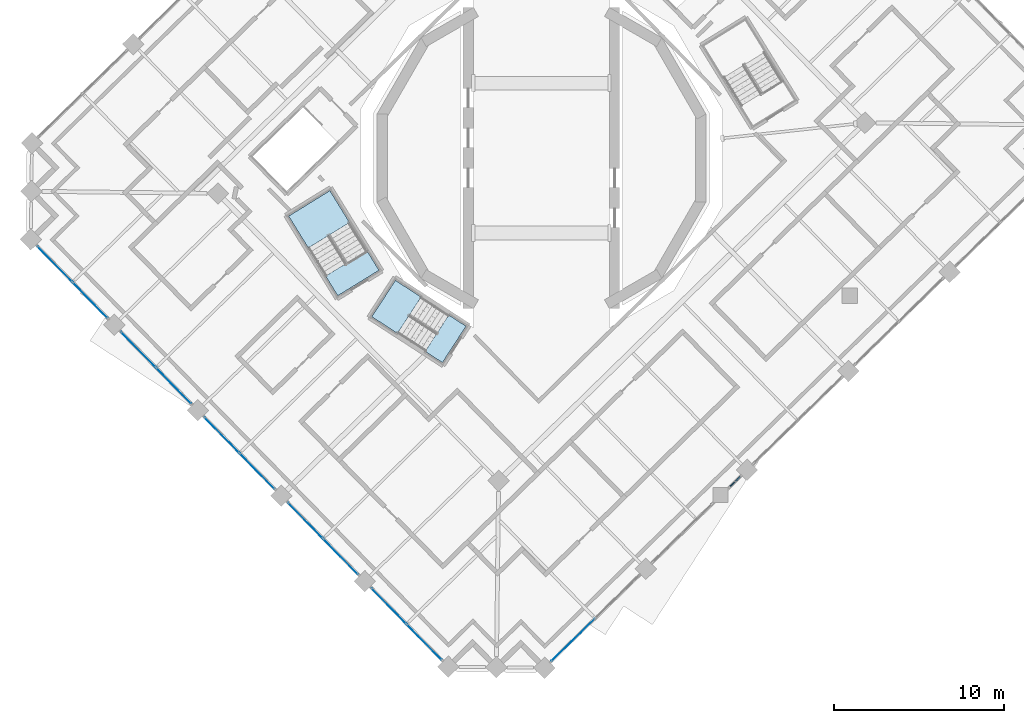
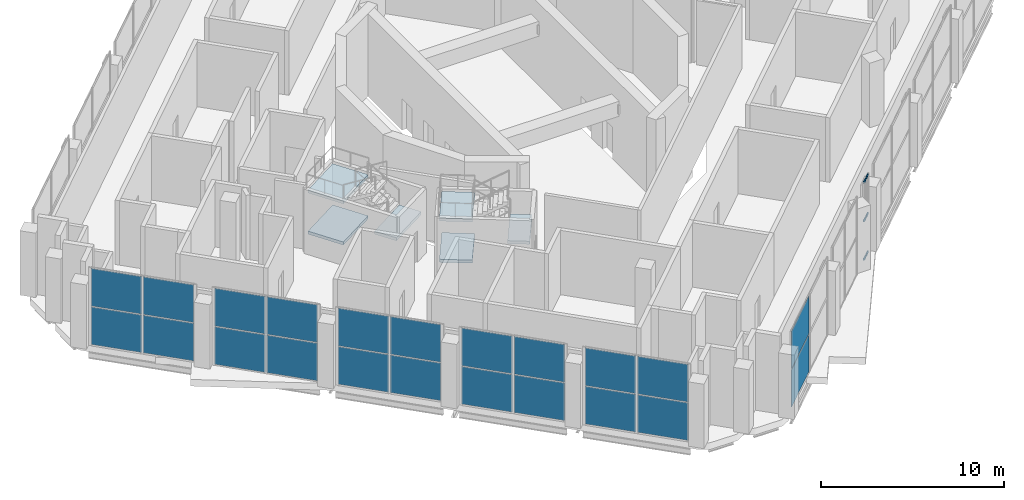
# One storey, part 9 of 20: 22 plates, 6 members, 6 slabs, 9 elements without a shape of their own.
"""IFC4 building model written with IfcOpenShell, lengths in metres."""

import ifcopenshell
import ifcopenshell.guid

model = None  # the IFC model being written
_history = None  # IfcOwnerHistory: only IFC2X3 demands one
_inside = {}  # id of a spatial element -> (the spatial element, [elements in it])
_under = {}  # id of a project, library or spatial element -> (it, [spatial elements below it])
_declared = {}  # id of a project -> (the project, [libraries it declares])
_typed = {}  # id of a type object -> (the type object, [elements of that type])
_made_of = {}  # id of a material, layer set ... -> (it, [elements and type objects made of it])


def new_model(schema):
    """Start an empty IFC model of exactly this schema.

    Asked for "IFC4X3", IfcOpenShell would pick the latest addendum, in which some entities
    have other attributes; the version numbers below select the first issue.
    IFC2X3 requires an IfcOwnerHistory on every rooted entity: one is made here for all.
    """
    global model, _history
    if schema == "IFC4X3":
        model = ifcopenshell.file(schema_version=(4, 3, 0, 0))
    else:
        model = ifcopenshell.file(schema=schema)
    _inside.clear()
    _under.clear()
    _declared.clear()
    _typed.clear()
    _made_of.clear()
    _history = None
    if model.schema == "IFC2X3":
        org = make("IfcOrganization", Name="unknown")
        user = make(
            "IfcPersonAndOrganization",
            ThePerson=make("IfcPerson", FamilyName="unknown"),
            TheOrganization=org,
        )
        app = make(
            "IfcApplication",
            ApplicationDeveloper=org,
            Version="unknown",
            ApplicationFullName="unknown",
            ApplicationIdentifier="unknown",
        )
        _history = make(
            "IfcOwnerHistory",
            OwningUser=user,
            OwningApplication=app,
            ChangeAction="ADDED",
            CreationDate=0,
        )
    return model


def make(cls, **values):
    """One entity of the class cls with the attributes given. An attribute that is None is left unset."""
    return model.create_entity(
        cls, **{name: value for name, value in values.items() if value is not None}
    )


def rooted(cls, **values):
    """An entity with a GlobalId (a new one), such as an element, a storey or a relation."""
    return make(cls, GlobalId=ifcopenshell.guid.new(), OwnerHistory=_history, **values)


def si_unit(unit_type, name, prefix=None):
    """IfcSIUnit, for example si_unit("LENGTHUNIT", "METRE", prefix="MILLI")."""
    return make("IfcSIUnit", UnitType=unit_type, Prefix=prefix, Name=name)


def assignment(units):
    """IfcUnitAssignment: the units of a project."""
    return None if units is None else make("IfcUnitAssignment", Units=units)


def point(xyz):
    """IfcCartesianPoint."""
    return None if xyz is None else make("IfcCartesianPoint", Coordinates=xyz)


def direction(xyz):
    """IfcDirection."""
    return None if xyz is None else make("IfcDirection", DirectionRatios=xyz)


def frame(location, z_axis=None, x_axis=None):
    """IfcAxis2Placement3D, a coordinate frame: its origin and axes. An axis left out is left unset."""
    return make(
        "IfcAxis2Placement3D",
        Location=point(location),
        Axis=direction(z_axis),
        RefDirection=direction(x_axis),
    )


def frame_2d(location, x_axis=None):
    """IfcAxis2Placement2D, a coordinate frame in the plane: its origin and x axis."""
    return make(
        "IfcAxis2Placement2D", Location=point(location), RefDirection=direction(x_axis)
    )


def origin():
    """The frame at (0, 0, 0) with its axes left unset."""
    return frame((0.0, 0.0, 0.0))


def origin_2d():
    """The frame at (0, 0) in the plane with its x axis left unset."""
    return frame_2d((0.0, 0.0))


def place(relative_to, where):
    """IfcLocalPlacement: puts the frame where relative to a parent placement (None: the world)."""
    return make(
        "IfcLocalPlacement", PlacementRelTo=relative_to, RelativePlacement=where
    )


def context(
    kind, dimensions, precision=None, world=None, true_north=None, identifier=None
):
    """IfcGeometricRepresentationContext, for example the 3D "Model" context."""
    return make(
        "IfcGeometricRepresentationContext",
        ContextIdentifier=identifier,
        ContextType=kind,
        CoordinateSpaceDimension=dimensions,
        Precision=precision,
        WorldCoordinateSystem=world,
        TrueNorth=true_north,
    )


def subcontext(parent, identifier, kind, view, scale=None):
    """IfcGeometricRepresentationSubContext, for example "Body" below "Model"."""
    return make(
        "IfcGeometricRepresentationSubContext",
        ContextIdentifier=identifier,
        ContextType=kind,
        ParentContext=parent,
        TargetScale=scale,
        TargetView=view,
    )


def project(units=None, contexts=None):
    """IfcProject with its units and contexts."""
    return rooted(
        "IfcProject",
        Name="project",
        RepresentationContexts=contexts,
        UnitsInContext=assignment(units),
    )


def spatial(cls, under=None, at=None, **own):
    """A site, building, storey or space (cls), placed at a placement, below another one or the project."""
    s = rooted(cls, ObjectPlacement=at, **own)
    if under is not None:
        _under.setdefault(under.id(), (under, []))[1].append(s)
    return s


def polyline(points):
    """IfcPolyline through the points."""
    return make("IfcPolyline", Points=[point(p) for p in points])


def profile(cls, at=None, kind="AREA", **sizes):
    """A parametric profile (cls). Its sizes go by their IFC names, for example OverallWidth=200.0."""
    return make(cls, ProfileType=kind, Position=at, **sizes)


def rectangle(**sizes):
    """IfcRectangleProfileDef."""
    return profile("IfcRectangleProfileDef", **sizes)


def outline(outer, holes=None, kind="AREA"):
    """IfcArbitraryClosedProfileDef: a profile drawn as a closed curve; with holes, ...WithVoids."""
    if holes is None:
        return make("IfcArbitraryClosedProfileDef", ProfileType=kind, OuterCurve=outer)
    return make(
        "IfcArbitraryProfileDefWithVoids",
        ProfileType=kind,
        OuterCurve=outer,
        InnerCurves=holes,
    )


def extrude(swept, where, along, depth):
    """IfcExtrudedAreaSolid: the profile swept, set in the frame where, extruded along a direction by depth."""
    return make(
        "IfcExtrudedAreaSolid",
        SweptArea=swept,
        Position=where,
        ExtrudedDirection=direction(along),
        Depth=depth,
    )


def shape(context_of_items, identifier, shape_type, items):
    """IfcShapeRepresentation: the items that make up one representation, for example the "Body"."""
    return make(
        "IfcShapeRepresentation",
        ContextOfItems=context_of_items,
        RepresentationIdentifier=identifier,
        RepresentationType=shape_type,
        Items=items,
    )


def material(Name=None, Category=None):
    """IfcMaterial."""
    return make("IfcMaterial", Name=Name, Category=Category)


def layer(
    of_material, thickness, ventilated=None, Name=None, Category=None, Priority=None
):
    """IfcMaterialLayer: one layer of a wall or slab, of a material (None: an air gap)."""
    return make(
        "IfcMaterialLayer",
        Material=of_material,
        LayerThickness=thickness,
        IsVentilated=ventilated,
        Name=Name,
        Category=Category,
        Priority=Priority,
    )


def layer_set(layers, Name=None):
    """IfcMaterialLayerSet."""
    return make("IfcMaterialLayerSet", MaterialLayers=layers, LayerSetName=Name)


def material_profile(
    of_material, cross_section, Name=None, Category=None, Priority=None
):
    """IfcMaterialProfile: a cross section and its material."""
    return make(
        "IfcMaterialProfile",
        Name=Name,
        Material=of_material,
        Profile=cross_section,
        Priority=Priority,
        Category=Category,
    )


def profile_set(profiles, Name=None, composite=None):
    """IfcMaterialProfileSet."""
    return make(
        "IfcMaterialProfileSet",
        Name=Name,
        MaterialProfiles=profiles,
        CompositeProfile=composite,
    )


def made_of(thing, what):
    """Note that an element or type object is made of a material, layer set ...; save() writes the relation."""
    if what is not None:
        _made_of.setdefault(what.id(), (what, []))[1].append(thing)
    return thing


def type_object(cls, material=None, **own):
    """A type object (cls), such as IfcWallType, which elements share."""
    return made_of(rooted(cls, **own), material)


def element(
    cls,
    number,
    at=None,
    inside=None,
    cuts=None,
    type_object=None,
    material=None,
    context=None,
    identifier="Body",
    shape_type=None,
    held_by="IfcProductDefinitionShape",
    body=None,
    shapes=None,
    **own,
):
    """One element of the class cls, such as IfcWall. Its Tag is "e" and its number.

    at: its placement. inside: the storey or other place that contains it. cuts: it is an
    opening in that element (IfcRelVoidsElement). A single representation is given by context,
    identifier, shape_type and body (its items); several are given by shapes. held_by: the class
    of the entity that holds the representations. save() writes the other relations.
    """
    e = rooted(cls, Tag="e%d" % number, ObjectPlacement=at, **own)
    if body is not None:
        shapes = [shape(context, identifier, shape_type, body)]
    if shapes is not None:
        e.Representation = make(held_by, Representations=shapes)
    if inside is not None:
        _inside.setdefault(inside.id(), (inside, []))[1].append(e)
    if cuts is not None:
        rooted(
            "IfcRelVoidsElement", RelatingBuildingElement=cuts, RelatedOpeningElement=e
        )
    if type_object is not None:
        _typed.setdefault(type_object.id(), (type_object, []))[1].append(e)
    return made_of(e, material)


def aggregate(whole, parts):
    """IfcRelAggregates: a whole, such as a stair, and the parts it consists of."""
    return rooted("IfcRelAggregates", RelatingObject=whole, RelatedObjects=parts)


def save(model, path):
    """Write the relations noted so far, then the file.

    IfcRelAggregates (storeys below a building ...), IfcRelContainedInSpatialStructure (elements
    in a storey), IfcRelDefinesByType, IfcRelAssociatesMaterial and IfcRelDeclares: one each for
    every whole, place, type object, material and project.
    """
    for whole, parts in _under.values():
        aggregate(whole, parts)
    for where, things in _inside.values():
        rooted(
            "IfcRelContainedInSpatialStructure",
            RelatedElements=things,
            RelatingStructure=where,
        )
    for kind, things in _typed.values():
        rooted("IfcRelDefinesByType", RelatedObjects=things, RelatingType=kind)
    for what, things in _made_of.values():
        rooted("IfcRelAssociatesMaterial", RelatedObjects=things, RelatingMaterial=what)
    for by, libraries in _declared.values():
        rooted("IfcRelDeclares", RelatingContext=by, RelatedDefinitions=libraries)
    model.write(path)


model = new_model("IFC4")

# Units and contexts
model_context = context("Model", 3, precision=1e-05, world=origin(), true_north=direction((0.0, 1.0)))
body_context = subcontext(model_context, "Body", "Model", "MODEL_VIEW")
ifc_project = project(units=[si_unit("LENGTHUNIT", "METRE"), si_unit("AREAUNIT", "SQUARE_METRE"), si_unit("VOLUMEUNIT", "CUBIC_METRE"), si_unit("PLANEANGLEUNIT", "RADIAN"), si_unit("MASSUNIT", "GRAM", prefix="KILO")], contexts=[model_context])

# Site, building, storey
site_placement = place(None, origin())
site = spatial("IfcSite", under=ifc_project, at=site_placement, CompositionType="ELEMENT")
building_placement = place(site_placement, origin())
building = spatial("IfcBuilding", under=site, at=building_placement, Name="Cantera Rosa Tower", CompositionType="ELEMENT")
storey_placement = place(building_placement, frame((0.0, 0.0, 245.0)))
storey = spatial("IfcBuildingStorey", under=building, at=storey_placement, Name="L54", CompositionType="ELEMENT", Elevation=245.0)

# Curtain wall, members
ifc_material_1 = material(Name="Anodised aluminium louvre", Category="aluminium")
curtain_wall_type = type_object("IfcCurtainWallType", Name="CW3 REFUGE LOUVRE WALL", PredefinedType="NOTDEFINED", material=ifc_material_1)
curtain_wall_1_placement = place(storey_placement, origin())
curtain_wall_1 = element("IfcCurtainWall", 1, at=curtain_wall_1_placement, inside=storey, type_object=curtain_wall_type, Name="CW3 CW3", PredefinedType="NOTDEFINED")
ifc_material_2 = material(Name="Anodised bronze aluminium", Category="aluminium")
ifc_material_profile = material_profile(ifc_material_2, rectangle(XDim=0.06005859375, YDim=0.1201171875, at=origin_2d()), Name="CW-TRANSOM 60x120 REFUGE")
ifc_profile_set = profile_set([ifc_material_profile], Name="Anodised bronze aluminium")
member_type = type_object("IfcMemberType", Name="CW-TRANSOM 60x120 REFUGE", PredefinedType="USERDEFINED", material=ifc_profile_set)
member_1_placement = place(storey_placement, frame((11.09619140625, -19.286865234375, 0.030029296875), z_axis=(0.71551780887, 0.698594492671, 0.0), x_axis=(-0.698594492671, 0.71551780887, 0.0)))
member_1 = element("IfcMember", 2, at=member_1_placement, type_object=member_type, Name="CW3 transom 1.1", ObjectType="TRANSOM", PredefinedType="USERDEFINED", context=body_context, shape_type="SweptSolid", body=[
    extrude(rectangle(XDim=0.06005859375, YDim=0.1201171875, at=origin_2d()), origin(), (0.0, 0.0, 1.0), 0.360595703125),
])
member_2_placement = place(storey_placement, frame((11.09619140625, -19.286865234375, 2.60009765625), z_axis=(0.71551780887, 0.698594492671, 0.0), x_axis=(-0.698594492671, 0.71551780887, 0.0)))
member_2 = element("IfcMember", 3, at=member_2_placement, type_object=member_type, Name="CW3 transom 1.2", ObjectType="TRANSOM", PredefinedType="USERDEFINED", context=body_context, shape_type="SweptSolid", body=[
    extrude(rectangle(XDim=0.06005859375, YDim=0.1201171875, at=origin_2d()), origin(), (0.0, 0.0, 1.0), 0.360595703125),
])
member_3_placement = place(storey_placement, frame((11.09619140625, -19.286865234375, 5.169921875), z_axis=(0.71551780887, 0.698594492671, 0.0), x_axis=(-0.698594492671, 0.71551780887, 0.0)))
member_3 = element("IfcMember", 4, at=member_3_placement, type_object=member_type, Name="CW3 transom 1.3", ObjectType="TRANSOM", PredefinedType="USERDEFINED", context=body_context, shape_type="SweptSolid", body=[
    extrude(rectangle(XDim=0.06005859375, YDim=0.1201171875, at=origin_2d()), origin(), (0.0, 0.0, 1.0), 0.360595703125),
])
member_4_placement = place(storey_placement, frame((11.411376953125, -18.97900390625, 0.030029296875), z_axis=(0.71517951561, 0.698940813268, 0.0), x_axis=(-0.698940813268, 0.71517951561, 0.0)))
member_4 = element("IfcMember", 5, at=member_4_placement, type_object=member_type, Name="CW3 transom 2.1", ObjectType="TRANSOM", PredefinedType="USERDEFINED", context=body_context, shape_type="SweptSolid", body=[
    extrude(rectangle(XDim=0.06005859375, YDim=0.1201171875, at=origin_2d()), origin(), (0.0, 0.0, 1.0), 0.36083984375),
])
member_5_placement = place(storey_placement, frame((11.411376953125, -18.97900390625, 2.60009765625), z_axis=(0.71517951561, 0.698940813268, 0.0), x_axis=(-0.698940813268, 0.71517951561, 0.0)))
member_5 = element("IfcMember", 6, at=member_5_placement, type_object=member_type, Name="CW3 transom 2.2", ObjectType="TRANSOM", PredefinedType="USERDEFINED", context=body_context, shape_type="SweptSolid", body=[
    extrude(rectangle(XDim=0.06005859375, YDim=0.1201171875, at=origin_2d()), origin(), (0.0, 0.0, 1.0), 0.36083984375),
])
member_6_placement = place(storey_placement, frame((11.411376953125, -18.97900390625, 5.169921875), z_axis=(0.71517951561, 0.698940813268, 0.0), x_axis=(-0.698940813268, 0.71517951561, 0.0)))
member_6 = element("IfcMember", 7, at=member_6_placement, type_object=member_type, Name="CW3 transom 2.3", ObjectType="TRANSOM", PredefinedType="USERDEFINED", context=body_context, shape_type="SweptSolid", body=[
    extrude(rectangle(XDim=0.06005859375, YDim=0.1201171875, at=origin_2d()), origin(), (0.0, 0.0, 1.0), 0.36083984375),
])
aggregate(curtain_wall_1, [member_1, member_2, member_3, member_4, member_5, member_6])

# Curtain wall, plates
curtain_wall_2_placement = place(storey_placement, origin())
curtain_wall_2 = element("IfcCurtainWall", 8, at=curtain_wall_2_placement, inside=storey, type_object=curtain_wall_type, Name="CW3 CW3", PredefinedType="NOTDEFINED")
ifc_material_3 = material(Name="Anodised aluminium louvre", Category="aluminium")
ifc_layer_1 = layer(ifc_material_3, 0.028076171875)
ifc_layer_set_1 = layer_set([ifc_layer_1], Name="CW-PANEL REFUGE")
plate_type = type_object("IfcPlateType", Name="CW-PANEL REFUGE", PredefinedType="CURTAIN_PANEL", material=ifc_layer_set_1)
plate_1_placement = place(storey_placement, frame((-28.58837890625, -6.226318359375, 0.06005859375), z_axis=(0.0, 0.0, 1.0), x_axis=(0.698831540389, -0.715286291046, 0.0)))
plate_1 = element("IfcPlate", 9, at=plate_1_placement, type_object=plate_type, Name="CW3 panel 1.1", PredefinedType="CURTAIN_PANEL", context=body_context, shape_type="SweptSolid", body=[
    extrude(rectangle(XDim=2.889892578125, YDim=0.028076171875, at=origin_2d()), origin(), (0.0, 0.0, 1.0), 2.510009765625),
])
plate_2_placement = place(storey_placement, frame((-28.58837890625, -6.226318359375, 2.6298828125), z_axis=(0.0, 0.0, 1.0), x_axis=(0.698831540389, -0.715286291046, 0.0)))
plate_2 = element("IfcPlate", 10, at=plate_2_placement, type_object=plate_type, Name="CW3 panel 1.2", PredefinedType="CURTAIN_PANEL", context=body_context, shape_type="SweptSolid", body=[
    extrude(rectangle(XDim=2.889892578125, YDim=0.028076171875, at=origin_2d()), origin(), (0.0, 0.0, 1.0), 2.510009765625),
])
plate_3_placement = place(storey_placement, frame((-26.512939453125, -8.3505859375, 0.06005859375), z_axis=(0.0, 0.0, 1.0), x_axis=(0.698831540389, -0.715286291046, 0.0)))
plate_3 = element("IfcPlate", 11, at=plate_3_placement, type_object=plate_type, Name="CW3 panel 2.1", PredefinedType="CURTAIN_PANEL", context=body_context, shape_type="SweptSolid", body=[
    extrude(rectangle(XDim=2.889892578125, YDim=0.028076171875, at=origin_2d()), origin(), (0.0, 0.0, 1.0), 2.510009765625),
])
plate_4_placement = place(storey_placement, frame((-26.512939453125, -8.3505859375, 2.6298828125), z_axis=(0.0, 0.0, 1.0), x_axis=(0.698831540389, -0.715286291046, 0.0)))
plate_4 = element("IfcPlate", 12, at=plate_4_placement, type_object=plate_type, Name="CW3 panel 2.2", PredefinedType="CURTAIN_PANEL", context=body_context, shape_type="SweptSolid", body=[
    extrude(rectangle(XDim=2.889892578125, YDim=0.028076171875, at=origin_2d()), origin(), (0.0, 0.0, 1.0), 2.510009765625),
])
aggregate(curtain_wall_2, [plate_1, plate_2, plate_3, plate_4])

curtain_wall_3_placement = place(storey_placement, origin())
curtain_wall_3 = element("IfcCurtainWall", 13, at=curtain_wall_3_placement, inside=storey, type_object=curtain_wall_type, Name="CW3 CW3", PredefinedType="NOTDEFINED")
plate_5_placement = place(storey_placement, frame((-23.6826171875, -11.24755859375, 0.06005859375), z_axis=(0.0, 0.0, 1.0), x_axis=(0.698831540389, -0.715286291046, 0.0)))
plate_5 = element("IfcPlate", 14, at=plate_5_placement, type_object=plate_type, Name="CW3 panel 1.1", PredefinedType="CURTAIN_PANEL", context=body_context, shape_type="SweptSolid", body=[
    extrude(rectangle(XDim=2.889892578125, YDim=0.028076171875, at=origin_2d()), origin(), (0.0, 0.0, 1.0), 2.510009765625),
])
plate_6_placement = place(storey_placement, frame((-23.6826171875, -11.24755859375, 2.6298828125), z_axis=(0.0, 0.0, 1.0), x_axis=(0.698831540389, -0.715286291046, 0.0)))
plate_6 = element("IfcPlate", 15, at=plate_6_placement, type_object=plate_type, Name="CW3 panel 1.2", PredefinedType="CURTAIN_PANEL", context=body_context, shape_type="SweptSolid", body=[
    extrude(rectangle(XDim=2.889892578125, YDim=0.028076171875, at=origin_2d()), origin(), (0.0, 0.0, 1.0), 2.510009765625),
])
plate_7_placement = place(storey_placement, frame((-21.607177734375, -13.371826171875, 0.06005859375), z_axis=(0.0, 0.0, 1.0), x_axis=(0.698831540389, -0.715286291046, 0.0)))
plate_7 = element("IfcPlate", 16, at=plate_7_placement, type_object=plate_type, Name="CW3 panel 2.1", PredefinedType="CURTAIN_PANEL", context=body_context, shape_type="SweptSolid", body=[
    extrude(rectangle(XDim=2.889892578125, YDim=0.028076171875, at=origin_2d()), origin(), (0.0, 0.0, 1.0), 2.510009765625),
])
plate_8_placement = place(storey_placement, frame((-21.607177734375, -13.371826171875, 2.6298828125), z_axis=(0.0, 0.0, 1.0), x_axis=(0.698831540389, -0.715286291046, 0.0)))
plate_8 = element("IfcPlate", 17, at=plate_8_placement, type_object=plate_type, Name="CW3 panel 2.2", PredefinedType="CURTAIN_PANEL", context=body_context, shape_type="SweptSolid", body=[
    extrude(rectangle(XDim=2.889892578125, YDim=0.028076171875, at=origin_2d()), origin(), (0.0, 0.0, 1.0), 2.510009765625),
])
aggregate(curtain_wall_3, [plate_5, plate_6, plate_7, plate_8])

curtain_wall_4_placement = place(storey_placement, origin())
curtain_wall_4 = element("IfcCurtainWall", 18, at=curtain_wall_4_placement, inside=storey, type_object=curtain_wall_type, Name="CW3 CW3", PredefinedType="NOTDEFINED")
plate_9_placement = place(storey_placement, frame((-18.77685546875, -16.268798828125, 0.06005859375), z_axis=(0.0, 0.0, 1.0), x_axis=(0.698831540389, -0.715286291046, 0.0)))
plate_9 = element("IfcPlate", 19, at=plate_9_placement, type_object=plate_type, Name="CW3 panel 1.1", PredefinedType="CURTAIN_PANEL", context=body_context, shape_type="SweptSolid", body=[
    extrude(rectangle(XDim=2.889892578125, YDim=0.028076171875, at=origin_2d()), origin(), (0.0, 0.0, 1.0), 2.510009765625),
])
plate_10_placement = place(storey_placement, frame((-18.77685546875, -16.268798828125, 2.6298828125), z_axis=(0.0, 0.0, 1.0), x_axis=(0.698831540389, -0.715286291046, 0.0)))
plate_10 = element("IfcPlate", 20, at=plate_10_placement, type_object=plate_type, Name="CW3 panel 1.2", PredefinedType="CURTAIN_PANEL", context=body_context, shape_type="SweptSolid", body=[
    extrude(rectangle(XDim=2.889892578125, YDim=0.028076171875, at=origin_2d()), origin(), (0.0, 0.0, 1.0), 2.510009765625),
])
plate_11_placement = place(storey_placement, frame((-16.701416015625, -18.393310546875, 0.06005859375), z_axis=(0.0, 0.0, 1.0), x_axis=(0.698831540389, -0.715286291046, 0.0)))
plate_11 = element("IfcPlate", 21, at=plate_11_placement, type_object=plate_type, Name="CW3 panel 2.1", PredefinedType="CURTAIN_PANEL", context=body_context, shape_type="SweptSolid", body=[
    extrude(rectangle(XDim=2.889892578125, YDim=0.028076171875, at=origin_2d()), origin(), (0.0, 0.0, 1.0), 2.510009765625),
])
plate_12_placement = place(storey_placement, frame((-16.701416015625, -18.393310546875, 2.6298828125), z_axis=(0.0, 0.0, 1.0), x_axis=(0.698831540389, -0.715286291046, 0.0)))
plate_12 = element("IfcPlate", 22, at=plate_12_placement, type_object=plate_type, Name="CW3 panel 2.2", PredefinedType="CURTAIN_PANEL", context=body_context, shape_type="SweptSolid", body=[
    extrude(rectangle(XDim=2.889892578125, YDim=0.028076171875, at=origin_2d()), origin(), (0.0, 0.0, 1.0), 2.510009765625),
])
aggregate(curtain_wall_4, [plate_9, plate_10, plate_11, plate_12])

curtain_wall_5_placement = place(storey_placement, origin())
curtain_wall_5 = element("IfcCurtainWall", 23, at=curtain_wall_5_placement, inside=storey, type_object=curtain_wall_type, Name="CW3 CW3", PredefinedType="NOTDEFINED")
plate_13_placement = place(storey_placement, frame((-13.87109375, -21.2900390625, 0.06005859375), z_axis=(0.0, 0.0, 1.0), x_axis=(0.698831540389, -0.715286291046, 0.0)))
plate_13 = element("IfcPlate", 24, at=plate_13_placement, type_object=plate_type, Name="CW3 panel 1.1", PredefinedType="CURTAIN_PANEL", context=body_context, shape_type="SweptSolid", body=[
    extrude(rectangle(XDim=2.889892578125, YDim=0.028076171875, at=origin_2d()), origin(), (0.0, 0.0, 1.0), 2.510009765625),
])
plate_14_placement = place(storey_placement, frame((-13.87109375, -21.2900390625, 2.6298828125), z_axis=(0.0, 0.0, 1.0), x_axis=(0.698831540389, -0.715286291046, 0.0)))
plate_14 = element("IfcPlate", 25, at=plate_14_placement, type_object=plate_type, Name="CW3 panel 1.2", PredefinedType="CURTAIN_PANEL", context=body_context, shape_type="SweptSolid", body=[
    extrude(rectangle(XDim=2.889892578125, YDim=0.028076171875, at=origin_2d()), origin(), (0.0, 0.0, 1.0), 2.510009765625),
])
plate_15_placement = place(storey_placement, frame((-11.795654296875, -23.41455078125, 0.06005859375), z_axis=(0.0, 0.0, 1.0), x_axis=(0.698831540389, -0.715286291046, 0.0)))
plate_15 = element("IfcPlate", 26, at=plate_15_placement, type_object=plate_type, Name="CW3 panel 2.1", PredefinedType="CURTAIN_PANEL", context=body_context, shape_type="SweptSolid", body=[
    extrude(rectangle(XDim=2.889892578125, YDim=0.028076171875, at=origin_2d()), origin(), (0.0, 0.0, 1.0), 2.510009765625),
])
plate_16_placement = place(storey_placement, frame((-11.795654296875, -23.41455078125, 2.6298828125), z_axis=(0.0, 0.0, 1.0), x_axis=(0.698831540389, -0.715286291046, 0.0)))
plate_16 = element("IfcPlate", 27, at=plate_16_placement, type_object=plate_type, Name="CW3 panel 2.2", PredefinedType="CURTAIN_PANEL", context=body_context, shape_type="SweptSolid", body=[
    extrude(rectangle(XDim=2.889892578125, YDim=0.028076171875, at=origin_2d()), origin(), (0.0, 0.0, 1.0), 2.510009765625),
])
aggregate(curtain_wall_5, [plate_13, plate_14, plate_15, plate_16])

curtain_wall_6_placement = place(storey_placement, origin())
curtain_wall_6 = element("IfcCurtainWall", 28, at=curtain_wall_6_placement, inside=storey, type_object=curtain_wall_type, Name="CW3 CW3", PredefinedType="NOTDEFINED")
plate_17_placement = place(storey_placement, frame((-8.96533203125, -26.3115234375, 0.06005859375), z_axis=(0.0, 0.0, 1.0), x_axis=(0.698831540389, -0.715286291046, 0.0)))
plate_17 = element("IfcPlate", 29, at=plate_17_placement, type_object=plate_type, Name="CW3 panel 1.1", PredefinedType="CURTAIN_PANEL", context=body_context, shape_type="SweptSolid", body=[
    extrude(rectangle(XDim=2.889892578125, YDim=0.028076171875, at=origin_2d()), origin(), (0.0, 0.0, 1.0), 2.510009765625),
])
plate_18_placement = place(storey_placement, frame((-8.96533203125, -26.3115234375, 2.6298828125), z_axis=(0.0, 0.0, 1.0), x_axis=(0.698831540389, -0.715286291046, 0.0)))
plate_18 = element("IfcPlate", 30, at=plate_18_placement, type_object=plate_type, Name="CW3 panel 1.2", PredefinedType="CURTAIN_PANEL", context=body_context, shape_type="SweptSolid", body=[
    extrude(rectangle(XDim=2.889892578125, YDim=0.028076171875, at=origin_2d()), origin(), (0.0, 0.0, 1.0), 2.510009765625),
])
plate_19_placement = place(storey_placement, frame((-6.8896484375, -28.435791015625, 0.06005859375), z_axis=(0.0, 0.0, 1.0), x_axis=(0.698831540389, -0.715286291046, 0.0)))
plate_19 = element("IfcPlate", 31, at=plate_19_placement, type_object=plate_type, Name="CW3 panel 2.1", PredefinedType="CURTAIN_PANEL", context=body_context, shape_type="SweptSolid", body=[
    extrude(rectangle(XDim=2.889892578125, YDim=0.028076171875, at=origin_2d()), origin(), (0.0, 0.0, 1.0), 2.510009765625),
])
plate_20_placement = place(storey_placement, frame((-6.8896484375, -28.435791015625, 2.6298828125), z_axis=(0.0, 0.0, 1.0), x_axis=(0.698831540389, -0.715286291046, 0.0)))
plate_20 = element("IfcPlate", 32, at=plate_20_placement, type_object=plate_type, Name="CW3 panel 2.2", PredefinedType="CURTAIN_PANEL", context=body_context, shape_type="SweptSolid", body=[
    extrude(rectangle(XDim=2.889892578125, YDim=0.028076171875, at=origin_2d()), origin(), (0.0, 0.0, 1.0), 2.510009765625),
])
aggregate(curtain_wall_6, [plate_17, plate_18, plate_19, plate_20])

curtain_wall_7_placement = place(storey_placement, origin())
curtain_wall_7 = element("IfcCurtainWall", 33, at=curtain_wall_7_placement, inside=storey, type_object=curtain_wall_type, Name="CW3 CW3", PredefinedType="NOTDEFINED")
plate_21_placement = place(storey_placement, frame((1.86279296875, -28.307861328125, 0.06005859375), z_axis=(0.0, 0.0, 1.0), x_axis=(0.715286291131, 0.698831540301, 0.0)))
plate_21 = element("IfcPlate", 34, at=plate_21_placement, type_object=plate_type, Name="CW3 panel 1.1", PredefinedType="CURTAIN_PANEL", context=body_context, shape_type="SweptSolid", body=[
    extrude(rectangle(XDim=3.5400390625, YDim=0.028076171875, at=origin_2d()), origin(), (0.0, 0.0, 1.0), 2.510009765625),
])
plate_22_placement = place(storey_placement, frame((1.86279296875, -28.307861328125, 2.6298828125), z_axis=(0.0, 0.0, 1.0), x_axis=(0.715286291131, 0.698831540301, 0.0)))
plate_22 = element("IfcPlate", 35, at=plate_22_placement, type_object=plate_type, Name="CW3 panel 1.2", PredefinedType="CURTAIN_PANEL", context=body_context, shape_type="SweptSolid", body=[
    extrude(rectangle(XDim=3.5400390625, YDim=0.028076171875, at=origin_2d()), origin(), (0.0, 0.0, 1.0), 2.510009765625),
])
aggregate(curtain_wall_7, [plate_21, plate_22])

# Stair, slabs
ifc_material_4 = material(Name="Concrete C35/45", Category="concrete")
stair_type_1 = type_object("IfcStairType", Name="EXIT STAIR 1350 DOGLEG", PredefinedType="HALF_TURN_STAIR", material=ifc_material_4)
stair_1_placement = place(storey_placement, origin())
stair_1 = element("IfcStair", 36, at=stair_1_placement, inside=storey, type_object=stair_type_1, Name="L54 ST-52", PredefinedType="HALF_TURN_STAIR")
ifc_material_5 = material(Name="Concrete C35/45", Category="concrete")
ifc_layer_2 = layer(ifc_material_5, 0.199951171875)
ifc_layer_set_2 = layer_set([ifc_layer_2], Name="STAIR LANDING 200")
slab_type = type_object("IfcSlabType", Name="STAIR LANDING 200", PredefinedType="LANDING", material=ifc_layer_set_2)
slab_1_placement = place(storey_placement, frame((0.0, 0.0, 1.175048828125)))
slab_1 = element("IfcSlab", 37, at=slab_1_placement, type_object=slab_type, Name="ST-52 landing 1", PredefinedType="LANDING", context=body_context, shape_type="SweptSolid", body=[
    extrude(outline(polyline([(-11.27490234375, -3.785400390625), (-12.430908203125, -1.911376953125), (-14.8564453125, -3.407470703125), (-13.700439453125, -5.28173828125), (-11.27490234375, -3.785400390625)])), origin(), (0.0, 0.0, 1.0), 0.199951171875),
])
slab_2_placement = place(storey_placement, frame((0.0, 0.0, 2.550048828125)))
slab_2 = element("IfcSlab", 38, at=slab_2_placement, type_object=slab_type, Name="ST-52 landing 2", PredefinedType="LANDING", context=body_context, shape_type="SweptSolid", body=[
    extrude(outline(polyline([(-9.54345703125, -6.592529296875), (-10.258544921875, -5.433349609375), (-12.68408203125, -6.929443359375), (-11.96923828125, -8.088623046875), (-9.54345703125, -6.592529296875)])), origin(), (0.0, 0.0, 1.0), 0.199951171875),
])
slab_3_placement = place(storey_placement, frame((0.0, 0.0, 3.925048828125)))
slab_3 = element("IfcSlab", 39, at=slab_3_placement, type_object=slab_type, Name="ST-52 landing 3", PredefinedType="LANDING", context=body_context, shape_type="SweptSolid", body=[
    extrude(outline(polyline([(-11.27490234375, -3.785400390625), (-12.430908203125, -1.911376953125), (-14.8564453125, -3.407470703125), (-13.700439453125, -5.28173828125), (-11.27490234375, -3.785400390625)])), origin(), (0.0, 0.0, 1.0), 0.199951171875),
])
aggregate(stair_1, [slab_1, slab_2, slab_3])

ifc_material_6 = material(Name="Concrete C35/45", Category="concrete")
stair_type_2 = type_object("IfcStairType", Name="EXIT STAIR 1200 DOGLEG", PredefinedType="HALF_TURN_STAIR", material=ifc_material_6)
stair_2_placement = place(storey_placement, origin())
stair_2 = element("IfcStair", 40, at=stair_2_placement, inside=storey, type_object=stair_type_2, Name="L54 ST-53", PredefinedType="HALF_TURN_STAIR")
slab_4_placement = place(storey_placement, frame((0.0, 0.0, 1.175048828125)))
slab_4 = element("IfcSlab", 41, at=slab_4_placement, type_object=slab_type, Name="ST-53 landing 1", PredefinedType="LANDING", context=body_context, shape_type="SweptSolid", body=[
    extrude(outline(polyline([(-7.070068359375, -8.1640625), (-8.581298828125, -7.1826171875), (-9.97021484375, -9.3212890625), (-8.458740234375, -10.302734375), (-7.070068359375, -8.1640625)])), origin(), (0.0, 0.0, 1.0), 0.199951171875),
])
slab_5_placement = place(storey_placement, frame((0.0, 0.0, 2.550048828125)))
slab_5 = element("IfcSlab", 42, at=slab_5_placement, type_object=slab_type, Name="ST-53 landing 2", PredefinedType="LANDING", context=body_context, shape_type="SweptSolid", body=[
    extrude(outline(polyline([(-4.429931640625, -9.878662109375), (-5.4462890625, -9.218505859375), (-6.835205078125, -11.357177734375), (-5.818603515625, -12.017333984375), (-4.429931640625, -9.878662109375)])), origin(), (0.0, 0.0, 1.0), 0.199951171875),
])
slab_6_placement = place(storey_placement, frame((0.0, 0.0, 3.925048828125)))
slab_6 = element("IfcSlab", 43, at=slab_6_placement, type_object=slab_type, Name="ST-53 landing 3", PredefinedType="LANDING", context=body_context, shape_type="SweptSolid", body=[
    extrude(outline(polyline([(-7.070068359375, -8.1640625), (-8.581298828125, -7.1826171875), (-9.97021484375, -9.3212890625), (-8.458740234375, -10.302734375), (-7.070068359375, -8.1640625)])), origin(), (0.0, 0.0, 1.0), 0.199951171875),
])
aggregate(stair_2, [slab_4, slab_5, slab_6])

save(model, "model.ifc")
